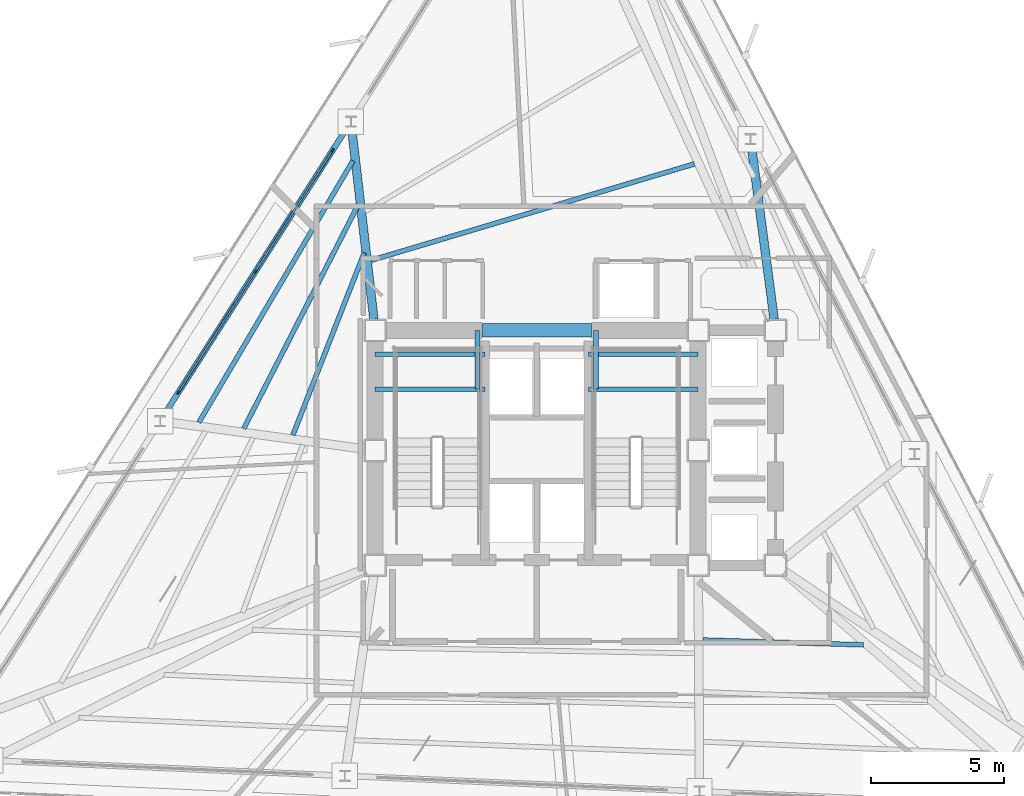
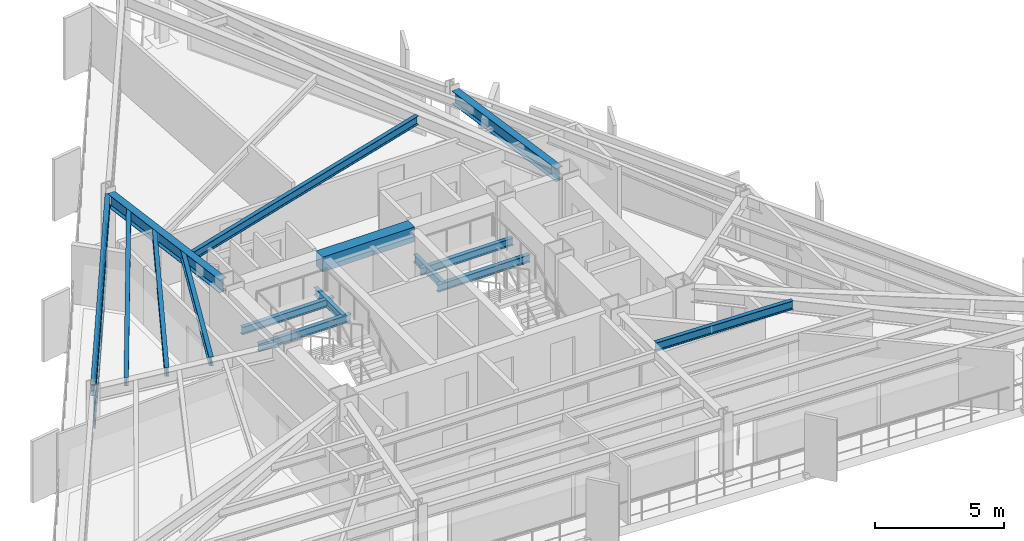
# One storey, part 3 of 12: 15 beams, 7 members, 1 element without a shape of its own.
"""IFC4 building model written with IfcOpenShell, lengths in metres."""

from ifc_helpers import new_model, si_unit, direction, frame, origin, origin_2d, place, context, subcontext, project, spatial, rectangle, i_section, extrude, material, layer, layer_set, material_profile, profile_set, type_object, element, aggregate, save


model = new_model("IFC4")

# Units and contexts
model_context = context("Model", 3, precision=1e-05, world=origin(), true_north=direction((0.0, 1.0)))
body_context = subcontext(model_context, "Body", "Model", "MODEL_VIEW")
ifc_project = project(units=[si_unit("LENGTHUNIT", "METRE"), si_unit("AREAUNIT", "SQUARE_METRE"), si_unit("VOLUMEUNIT", "CUBIC_METRE"), si_unit("PLANEANGLEUNIT", "RADIAN"), si_unit("MASSUNIT", "GRAM", prefix="KILO")], contexts=[model_context])

# Site, building, storey
site_placement = place(None, origin())
site = spatial("IfcSite", under=ifc_project, at=site_placement, CompositionType="ELEMENT")
building_placement = place(site_placement, origin())
building = spatial("IfcBuilding", under=site, at=building_placement, Name="Rocaltana Carrier Exchange", CompositionType="ELEMENT")
storey_placement = place(building_placement, frame((0.0, 0.0, 125.919921875)))
storey = spatial("IfcBuildingStorey", under=building, at=storey_placement, Name="L39", CompositionType="ELEMENT", Elevation=125.919921875)

# Curtain wall, members
ifc_material_1 = material(Name="Aluminium 6063-T6", Category="aluminium")
ifc_layer = layer(ifc_material_1, 0.14990234375)
ifc_layer_set = layer_set([ifc_layer], Name="Aluminium 6063-T6")
curtain_wall_type = type_object("IfcCurtainWallType", Name="Mid-Tower Unitised Curtain Wall CW-03", PredefinedType="NOTDEFINED", material=ifc_layer_set)
curtain_wall_placement = place(storey_placement, origin())
curtain_wall = element("IfcCurtainWall", 1, at=curtain_wall_placement, inside=storey, type_object=curtain_wall_type, Name="L39 CW-03 Run CW-L39-F2S2", PredefinedType="NOTDEFINED")
ifc_material_2 = material(Name="Aluminium 6063-T6", Category="aluminium")
ifc_material_profile_1 = material_profile(ifc_material_2, rectangle(XDim=0.06005859375, YDim=0.14990234375, at=origin_2d()), Name="AL-60X150")
ifc_profile_set_1 = profile_set([ifc_material_profile_1], Name="Aluminium 6063-T6")
member_type_1 = type_object("IfcMemberType", Name="CW-03 Mullion AL-60X150", PredefinedType="MULLION", material=ifc_profile_set_1)
member_1_placement = place(storey_placement, frame((-7.6494140625, 11.240478515625, 0.0), z_axis=(0.0, 0.0, 1.0), x_axis=(0.843390685726, -0.537300801443, 0.0)))
member_1 = element("IfcMember", 2, at=member_1_placement, type_object=member_type_1, Name="CW-03 mullion 1", PredefinedType="MULLION", context=body_context, shape_type="SweptSolid", body=[
    extrude(rectangle(XDim=0.06005859375, YDim=0.14990234375, at=origin_2d()), origin(), (0.0, 0.0, 1.0), 2.218017578125),
])
member_2_placement = place(storey_placement, frame((-10.53466796875, 6.71142578125, 0.0), z_axis=(0.0, 0.0, 1.0), x_axis=(0.843390685726, -0.537300801443, 0.0)))
member_2 = element("IfcMember", 3, at=member_2_placement, type_object=member_type_1, Name="CW-03 mullion 2", PredefinedType="MULLION", context=body_context, shape_type="SweptSolid", body=[
    extrude(rectangle(XDim=0.06005859375, YDim=0.14990234375, at=origin_2d()), origin(), (0.0, 0.0, 1.0), 2.218017578125),
])
member_3_placement = place(storey_placement, frame((-13.420166015625, 2.182373046875, 0.0), z_axis=(0.0, 0.0, 1.0), x_axis=(0.843390685726, -0.537300801443, 0.0)))
member_3 = element("IfcMember", 4, at=member_3_placement, type_object=member_type_1, Name="CW-03 mullion 3", PredefinedType="MULLION", context=body_context, shape_type="SweptSolid", body=[
    extrude(rectangle(XDim=0.06005859375, YDim=0.14990234375, at=origin_2d()), origin(), (0.0, 0.0, 1.0), 2.218017578125),
])
ifc_material_3 = material(Name="Aluminium 6063-T6", Category="aluminium")
ifc_material_profile_2 = material_profile(ifc_material_3, rectangle(XDim=0.06005859375, YDim=0.14990234375, at=origin_2d()), Name="AL-60X150")
ifc_profile_set_2 = profile_set([ifc_material_profile_2], Name="Aluminium 6063-T6")
member_type_2 = type_object("IfcMemberType", Name="CW-03 Transom AL-60X150", PredefinedType="USERDEFINED", material=ifc_profile_set_2)
member_4_placement = place(storey_placement, frame((-7.66552734375, 11.215087890625, 0.030029296875), z_axis=(-0.537285975238, -0.843400130906, 0.0), x_axis=(0.843400130906, -0.537285975238, 0.0)))
member_4 = element("IfcMember", 5, at=member_4_placement, type_object=member_type_2, Name="CW-03 transom 1.1", ObjectType="TRANSOM", PredefinedType="USERDEFINED", context=body_context, shape_type="SweptSolid", body=[
    extrude(rectangle(XDim=0.06005859375, YDim=0.14990234375, at=origin_2d()), origin(), (0.0, 0.0, 1.0), 5.31005859375),
])
member_5_placement = place(storey_placement, frame((-7.66552734375, 11.215087890625, 2.18798828125), z_axis=(-0.537285975238, -0.843400130906, 0.0), x_axis=(0.843400130906, -0.537285975238, 0.0)))
member_5 = element("IfcMember", 6, at=member_5_placement, type_object=member_type_2, Name="CW-03 transom 1.2", ObjectType="TRANSOM", PredefinedType="USERDEFINED", context=body_context, shape_type="SweptSolid", body=[
    extrude(rectangle(XDim=0.06005859375, YDim=0.14990234375, at=origin_2d()), origin(), (0.0, 0.0, 1.0), 5.31005859375),
])
member_6_placement = place(storey_placement, frame((-10.55078125, 6.68603515625, 0.030029296875), z_axis=(-0.537318678484, -0.843379296493, 0.0), x_axis=(0.843379296493, -0.537318678484, 0.0)))
member_6 = element("IfcMember", 7, at=member_6_placement, type_object=member_type_2, Name="CW-03 transom 2.1", ObjectType="TRANSOM", PredefinedType="USERDEFINED", context=body_context, shape_type="SweptSolid", body=[
    extrude(rectangle(XDim=0.06005859375, YDim=0.14990234375, at=origin_2d()), origin(), (0.0, 0.0, 1.0), 5.310302734375),
])
member_7_placement = place(storey_placement, frame((-10.55078125, 6.68603515625, 2.18798828125), z_axis=(-0.537318678484, -0.843379296493, 0.0), x_axis=(0.843379296493, -0.537318678484, 0.0)))
member_7 = element("IfcMember", 8, at=member_7_placement, type_object=member_type_2, Name="CW-03 transom 2.2", ObjectType="TRANSOM", PredefinedType="USERDEFINED", context=body_context, shape_type="SweptSolid", body=[
    extrude(rectangle(XDim=0.06005859375, YDim=0.14990234375, at=origin_2d()), origin(), (0.0, 0.0, 1.0), 5.310302734375),
])
aggregate(curtain_wall, [member_1, member_2, member_3, member_4, member_5, member_6, member_7])

# Beams
ifc_material_4 = material(Name="Concrete C60/75", Category="concrete")
ifc_material_profile_3 = material_profile(ifc_material_4, rectangle(XDim=0.5, YDim=0.699951171875, at=origin_2d()), Name="RC-BM-500X700")
ifc_profile_set_3 = profile_set([ifc_material_profile_3], Name="Concrete C60/75")
beam_type_1 = type_object("IfcBeamType", Name="Core Coupling Lintel 500x700", PredefinedType="LINTEL", material=ifc_profile_set_3)
beam_1_placement = place(storey_placement, frame((-2.050048828125, 4.5, 2.43798828125), z_axis=(1.0, 0.0, 0.0), x_axis=(0.0, 1.0, 0.0)))
element("IfcBeam", 9, at=beam_1_placement, inside=storey, type_object=beam_type_1, Name="L39 Core Coupling Lintel CL-N", PredefinedType="LINTEL", context=body_context, shape_type="SweptSolid", body=[
    extrude(rectangle(XDim=0.5, YDim=0.699951171875, at=origin_2d()), origin(), (0.0, 0.0, 1.0), 4.10009765625),
])
ifc_material_5 = material(Name="Steel S355", Category="steel")
ifc_material_profile_4 = material_profile(ifc_material_5, i_section(OverallWidth=0.172119140625, OverallDepth=0.35791015625, WebThickness=0.0078125, FlangeThickness=0.01318359375, FilletRadius=0.011962890625, at=origin_2d()), Name="W14X38")
ifc_profile_set_4 = profile_set([ifc_material_profile_4], Name="Steel S355")
beam_type_2 = type_object("IfcBeamType", Name="Floor Joist W14X38", PredefinedType="JOIST", material=ifc_profile_set_4)
for number, where, z_axis, x_axis, name in (
    (10, (-6.050048828125, 2.300048828125, 1.14111328125), (1.0, 0.0, 0.0), (0.0, 1.0, 0.0), "L39 ST-1 Landing Carrier 1"),
    (11, (1.93994140625, 2.300048828125, 1.14111328125), (1.0, 0.0, 0.0), (0.0, 1.0, 0.0), "L39 ST-2 Landing Carrier 1"),
    (12, (-6.050048828125, 3.60009765625, 1.14111328125), (1.0, 0.0, 0.0), (0.0, 1.0, 0.0), "L39 ST-1 Landing Carrier 2"),
    (13, (1.93994140625, 3.60009765625, 1.14111328125), (1.0, 0.0, 0.0), (0.0, 1.0, 0.0), "L39 ST-2 Landing Carrier 2"),
):
    element("IfcBeam", number, at=place(storey_placement, frame(where, z_axis=z_axis, x_axis=x_axis)), inside=storey, type_object=beam_type_2, Name=name, PredefinedType="JOIST", context=body_context, shape_type="SweptSolid", body=[
        extrude(i_section(OverallWidth=0.172119140625, OverallDepth=0.35791015625, WebThickness=0.0078125, FlangeThickness=0.01318359375, FilletRadius=0.011962890625, at=origin_2d()), origin(), (0.0, 0.0, 1.0), 4.110107421875),
    ])
for number, where, z_axis, x_axis, name in (
    (14, (-2.219970703125, 2.300048828125, 1.14111328125), (0.0, 1.0, 0.0), (-1.0, 0.0, 0.0), "L39 ST-1 Landing Cross Trimmer"),
    (15, (2.219970703125, 2.300048828125, 1.14111328125), (0.0, 1.0, 0.0), (-1.0, 0.0, 0.0), "L39 ST-2 Landing Cross Trimmer"),
):
    element("IfcBeam", number, at=place(storey_placement, frame(where, z_axis=z_axis, x_axis=x_axis)), inside=storey, type_object=beam_type_2, Name=name, PredefinedType="JOIST", context=body_context, shape_type="SweptSolid", body=[
        extrude(i_section(OverallWidth=0.172119140625, OverallDepth=0.35791015625, WebThickness=0.0078125, FlangeThickness=0.01318359375, FilletRadius=0.011962890625, at=origin_2d()), origin(), (0.0, 0.0, 1.0), 2.199951171875),
    ])
ifc_material_6 = material(Name="Steel S355", Category="steel")
ifc_material_profile_5 = material_profile(ifc_material_6, i_section(OverallWidth=0.179931640625, OverallDepth=0.4130859375, WebThickness=0.009765625, FlangeThickness=0.01611328125, FilletRadius=0.012939453125, at=origin_2d()), Name="W16X50")
ifc_profile_set_5 = profile_set([ifc_material_profile_5], Name="Steel S355")
beam_type_3 = type_object("IfcBeamType", Name="Floor Joist W16X50", PredefinedType="JOIST", material=ifc_profile_set_5)
beam_2_placement = place(storey_placement, frame((5.907958984375, 10.737548828125, 2.58154296875), z_axis=(-0.958271792159, -0.285858658, 0.0), x_axis=(0.285858658, -0.958271792159, 0.0)))
element("IfcBeam", 16, at=beam_2_placement, inside=storey, type_object=beam_type_3, Name="FJ-L39-05-1", PredefinedType="JOIST", context=body_context, shape_type="SweptSolid", body=[
    extrude(i_section(OverallWidth=0.179931640625, OverallDepth=0.4130859375, WebThickness=0.009765625, FlangeThickness=0.01611328125, FilletRadius=0.012939453125, at=origin_2d()), origin(), (0.0, 0.0, 1.0), 12.63671875),
])
beam_3_placement = place(storey_placement, frame((-6.46240234375, 7.404541015625, 2.58154296875), z_axis=(-0.364527375861, -0.931192671926, 0.0), x_axis=(0.931192671926, -0.364527375861, 0.0)))
element("IfcBeam", 17, at=beam_3_placement, inside=storey, type_object=beam_type_3, Name="FJ-L39-06-1", PredefinedType="JOIST", context=body_context, shape_type="SweptSolid", body=[
    extrude(i_section(OverallWidth=0.179931640625, OverallDepth=0.4130859375, WebThickness=0.009765625, FlangeThickness=0.01611328125, FilletRadius=0.012939453125, at=origin_2d()), origin(), (0.0, 0.0, 1.0), 7.333740234375),
])
beam_4_placement = place(storey_placement, frame((-6.686279296875, 9.20947265625, 2.58154296875), z_axis=(-0.455271338629, -0.890352743705, 0.0), x_axis=(0.890352743705, -0.455271338629, 0.0)))
element("IfcBeam", 18, at=beam_4_placement, inside=storey, type_object=beam_type_3, Name="FJ-L39-06-2", PredefinedType="JOIST", context=body_context, shape_type="SweptSolid", body=[
    extrude(i_section(OverallWidth=0.179931640625, OverallDepth=0.4130859375, WebThickness=0.009765625, FlangeThickness=0.01611328125, FilletRadius=0.012939453125, at=origin_2d()), origin(), (0.0, 0.0, 1.0), 9.419921875),
])
beam_5_placement = place(storey_placement, frame((-6.885986328125, 10.856201171875, 2.58154296875), z_axis=(-0.507296695283, -0.86177146794, 0.0), x_axis=(0.86177146794, -0.507296695283, 0.0)))
element("IfcBeam", 19, at=beam_5_placement, inside=storey, type_object=beam_type_3, Name="FJ-L39-06-3", PredefinedType="JOIST", context=body_context, shape_type="SweptSolid", body=[
    extrude(i_section(OverallWidth=0.179931640625, OverallDepth=0.4130859375, WebThickness=0.009765625, FlangeThickness=0.01611328125, FilletRadius=0.012939453125, at=origin_2d()), origin(), (0.0, 0.0, 1.0), 11.37939453125),
])
beam_6_placement = place(storey_placement, frame((6.221923828125, -7.099609375, 2.58154296875), z_axis=(0.999543297857, -0.030219128192, 0.0), x_axis=(0.030219128192, 0.999543297857, 0.0)))
element("IfcBeam", 20, at=beam_6_placement, inside=storey, type_object=beam_type_3, Name="FJ-L39-11-1", PredefinedType="JOIST", context=body_context, shape_type="SweptSolid", body=[
    extrude(i_section(OverallWidth=0.179931640625, OverallDepth=0.4130859375, WebThickness=0.009765625, FlangeThickness=0.01611328125, FilletRadius=0.012939453125, at=origin_2d()), origin(), (0.0, 0.0, 1.0), 6.018798828125),
])
ifc_material_7 = material(Name="Steel S355", Category="steel")
ifc_material_profile_6 = material_profile(ifc_material_7, i_section(OverallWidth=0.323974609375, OverallDepth=0.611083984375, WebThickness=0.0126953125, FlangeThickness=0.01904296875, FilletRadius=0.01611328125, at=origin_2d()), Name="W24X104")
ifc_profile_set_6 = profile_set([ifc_material_profile_6], Name="Steel S355")
beam_type_4 = type_object("IfcBeamType", Name="Radial Girder W24X104", PredefinedType="BEAM", material=ifc_profile_set_6)
beam_7_placement = place(storey_placement, frame((8.895751953125, 4.91357421875, 2.482666015625), z_axis=(-0.130195806294, 0.991488301506, 0.0), x_axis=(-0.991488301506, -0.130195806294, 0.0)))
element("IfcBeam", 21, at=beam_7_placement, inside=storey, type_object=beam_type_4, Name="RG-L39-03", PredefinedType="BEAM", context=body_context, shape_type="SweptSolid", body=[
    extrude(i_section(OverallWidth=0.323974609375, OverallDepth=0.611083984375, WebThickness=0.0126953125, FlangeThickness=0.01904296875, FilletRadius=0.01611328125, at=origin_2d()), origin(), (0.0, 0.0, 1.0), 6.61572265625),
])
beam_8_placement = place(storey_placement, frame((-6.098388671875, 4.914306640625, 2.482666015625), z_axis=(-0.115803295245, 0.993272166534, 0.0), x_axis=(-0.993272166534, -0.115803295245, 0.0)))
element("IfcBeam", 22, at=beam_8_placement, inside=storey, type_object=beam_type_4, Name="RG-L39-06", PredefinedType="BEAM", context=body_context, shape_type="SweptSolid", body=[
    extrude(i_section(OverallWidth=0.323974609375, OverallDepth=0.611083984375, WebThickness=0.0126953125, FlangeThickness=0.01904296875, FilletRadius=0.01611328125, at=origin_2d()), origin(), (0.0, 0.0, 1.0), 7.2607421875),
])
ifc_material_8 = material(Name="Steel S355", Category="steel")
ifc_material_profile_7 = material_profile(ifc_material_8, i_section(OverallWidth=0.2119140625, OverallDepth=0.5439453125, WebThickness=0.01318359375, FlangeThickness=0.021240234375, FilletRadius=0.014892578125, at=origin_2d()), Name="W21X83")
ifc_profile_set_7 = profile_set([ifc_material_profile_7], Name="Steel S355")
beam_type_5 = type_object("IfcBeamType", Name="Spandrel Edge Beam W21X83", PredefinedType="SPANDREL", material=ifc_profile_set_7)
beam_9_placement = place(storey_placement, frame((-7.06640625, 12.155517578125, 2.51611328125), z_axis=(-0.537298808094, -0.84339195563, 0.0), x_axis=(0.84339195563, -0.537298808094, 0.0)))
element("IfcBeam", 23, at=beam_9_placement, inside=storey, type_object=beam_type_5, Name="SP-L39-06", PredefinedType="SPANDREL", context=body_context, shape_type="SweptSolid", body=[
    extrude(i_section(OverallWidth=0.2119140625, OverallDepth=0.5439453125, WebThickness=0.01318359375, FlangeThickness=0.021240234375, FilletRadius=0.014892578125, at=origin_2d()), origin(), (0.0, 0.0, 1.0), 12.909912109375),
])

save(model, "model.ifc")
